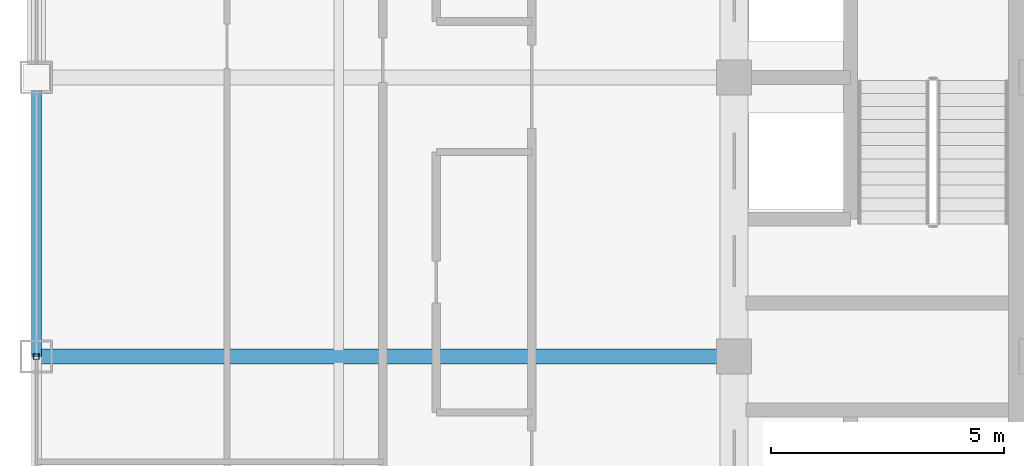
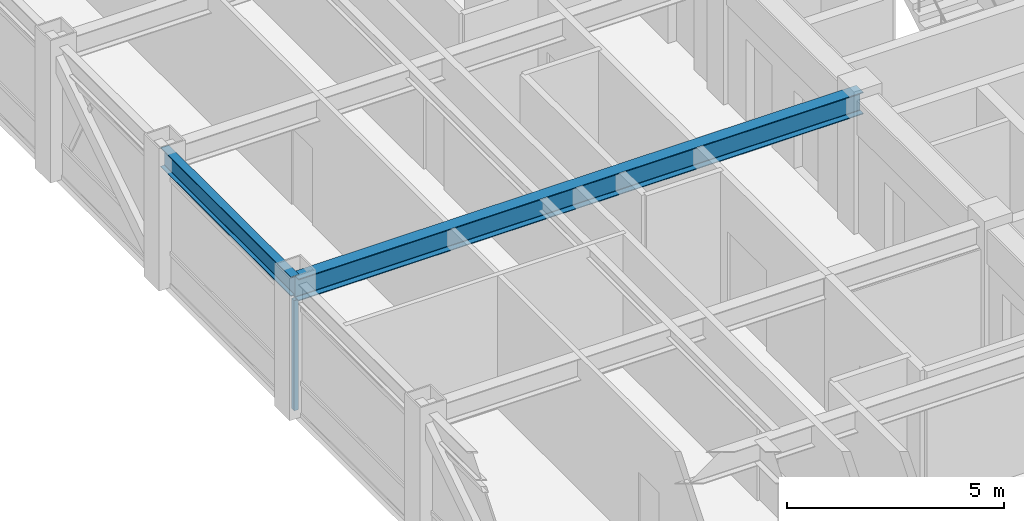
# One storey, part 6 of 29: 2 beams, 1 member, 1 element without a shape of its own.
"""IFC4 building model written with IfcOpenShell, lengths in metres."""

from ifc_helpers import new_model, si_unit, direction, frame, origin, origin_2d, place, context, subcontext, project, spatial, hollow_rectangle, i_section, extrude, source, transform, mapped, material, material_profile, profile_set, type_object, element, aggregate, save


model = new_model("IFC4")

# Units and contexts
model_context = context("Model", 3, precision=1e-05, world=origin(), true_north=direction((0.0, 1.0)))
body_context = subcontext(model_context, "Body", "Model", "MODEL_VIEW")
ifc_project = project(units=[si_unit("LENGTHUNIT", "METRE"), si_unit("AREAUNIT", "SQUARE_METRE"), si_unit("VOLUMEUNIT", "CUBIC_METRE"), si_unit("PLANEANGLEUNIT", "RADIAN"), si_unit("MASSUNIT", "GRAM", prefix="KILO")], contexts=[model_context])

# Site, building, storey
site_placement = place(None, origin())
site = spatial("IfcSite", under=ifc_project, at=site_placement, CompositionType="ELEMENT")
building_placement = place(site_placement, origin())
building = spatial("IfcBuilding", under=site, at=building_placement, Name="Khorayat Bourse Tower", CompositionType="ELEMENT")
storey_placement = place(building_placement, frame((0.0, 0.0, 366.300048828125)))
storey = spatial("IfcBuildingStorey", under=building, at=storey_placement, Name="L87", CompositionType="ELEMENT", Elevation=366.300048828125)

# Beams
ifc_material_1 = material(Name="Steel ASTM A992 Grade 50", Category="steel")
ifc_material_profile_1 = material_profile(ifc_material_1, i_section(OverallWidth=0.214111328125, OverallDepth=0.549072265625, WebThickness=0.0146484375, FlangeThickness=0.023681640625, FilletRadius=0.013916015625, at=origin_2d()), Name="W530X138")
ifc_profile_set_1 = profile_set([ifc_material_profile_1], Name="Steel ASTM A992 Grade 50")
beam_type_1 = type_object("IfcBeamType", Name="BM-SPAN-530", PredefinedType="SPANDREL", material=ifc_profile_set_1)
shared_shape_1 = source(origin(), body_context, "Body", "SweptSolid", [
    extrude(i_section(OverallWidth=0.214111328125, OverallDepth=0.549072265625, WebThickness=0.0146484375, FlangeThickness=0.023681640625, FilletRadius=0.013916015625, at=origin_2d()), origin(), (0.0, 0.0, 1.0), 6.0),
])
beam_1_placement = place(storey_placement, frame((-26.0, 0.0, 3.46533203125), z_axis=(0.0, 1.0, 0.0), x_axis=(-1.0, 0.0, 0.0)))
element("IfcBeam", 1, at=beam_1_placement, inside=storey, type_object=beam_type_1, Name="L87 BM-SPAN-530 BM-L87-SPN-050", PredefinedType="SPANDREL", context=body_context, shape_type="MappedRepresentation", body=[
    mapped(shared_shape_1, transform((0.0, 0.0, 0.0), scale=1.0)),
])
ifc_material_profile_2 = material_profile(ifc_material_1, i_section(OverallWidth=0.324951171875, OverallDepth=0.615966796875, WebThickness=0.013916015625, FlangeThickness=0.021484375, FilletRadius=0.01611328125, at=origin_2d()), Name="W610X174")
ifc_profile_set_2 = profile_set([ifc_material_profile_2], Name="Steel ASTM A992 Grade 50")
beam_type_2 = type_object("IfcBeamType", Name="BM-GIRD-610", PredefinedType="BEAM", material=ifc_profile_set_2)
shared_shape_2 = source(origin(), body_context, "Body", "SweptSolid", [
    extrude(i_section(OverallWidth=0.324951171875, OverallDepth=0.615966796875, WebThickness=0.013916015625, FlangeThickness=0.021484375, FilletRadius=0.01611328125, at=origin_2d()), origin(), (0.0, 0.0, 1.0), 15.0),
])
beam_2_placement = place(storey_placement, frame((-26.0, 0.0, 3.431884765625), z_axis=(1.0, 0.0, 0.0), x_axis=(0.0, 1.0, 0.0)))
element("IfcBeam", 2, at=beam_2_placement, inside=storey, type_object=beam_type_2, Name="L87 BM-GIRD-610 BM-L87-RADX-071", PredefinedType="BEAM", context=body_context, shape_type="MappedRepresentation", body=[
    mapped(shared_shape_2, transform((0.0, 0.0, 0.0), scale=1.0)),
])

# Curtain wall, member
ifc_material_2 = material(Name="Aluminium EN AW-6063 T6", Category="aluminium")
curtain_wall_type = type_object("IfcCurtainWallType", Name="CW-SYS-04", PredefinedType="NOTDEFINED", material=ifc_material_2)
curtain_wall_placement = place(storey_placement, origin())
curtain_wall = element("IfcCurtainWall", 3, at=curtain_wall_placement, inside=storey, type_object=curtain_wall_type, Name="L87 Curtain Wall CW-L87-W1", PredefinedType="NOTDEFINED")
ifc_material_profile_3 = material_profile(ifc_material_2, hollow_rectangle(XDim=0.1201171875, YDim=0.1201171875, WallThickness=0.0048828125, at=origin_2d()), Name="ALU 120x120x5")
ifc_profile_set_3 = profile_set([ifc_material_profile_3], Name="Aluminium EN AW-6063 T6")
member_type = type_object("IfcMemberType", Name="CWM-VERT-120", PredefinedType="MULLION", material=ifc_profile_set_3)
shared_shape_3 = source(origin(), body_context, "Body", "SweptSolid", [
    extrude(hollow_rectangle(XDim=0.1201171875, YDim=0.1201171875, WallThickness=0.0048828125, at=origin_2d()), origin(), (0.0, 0.0, 1.0), 3.08984375),
])
member_placement = place(storey_placement, frame((-26.0, 0.0, 0.0), z_axis=(0.0, 0.0, 1.0), x_axis=(-1.0, 0.0, 0.0)))
member = element("IfcMember", 4, at=member_placement, type_object=member_type, Name="CW-L87-W1 Vertical Mullion 2", PredefinedType="MULLION", context=body_context, shape_type="MappedRepresentation", body=[
    mapped(shared_shape_3, transform((0.0, 0.0, 0.0), scale=1.0)),
])
aggregate(curtain_wall, [member])

save(model, "model.ifc")
